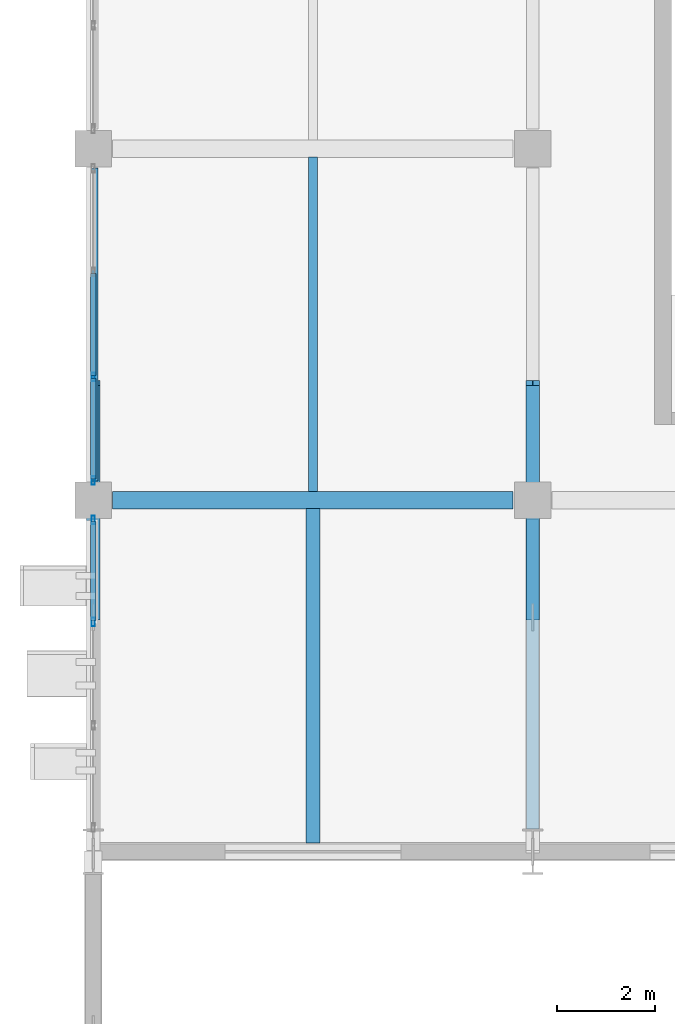
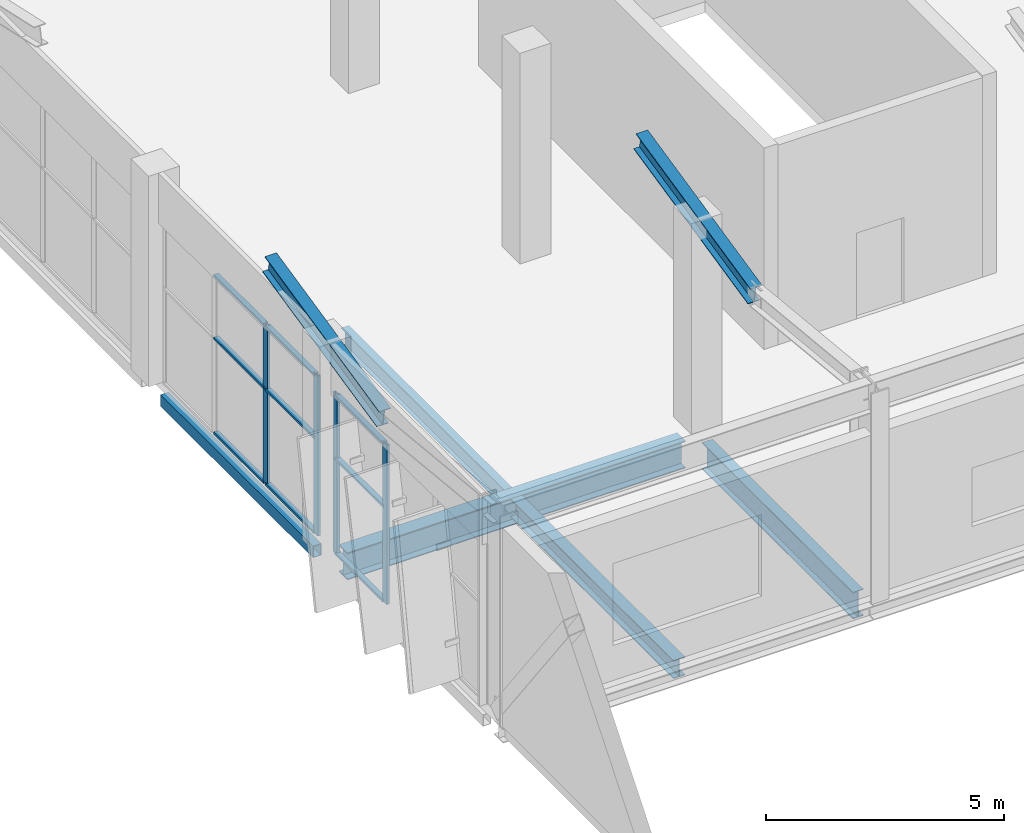
# One storey, part 37 of 189: 15 members, 5 beams, 2 elements without a shape of their own.
"""IFC4 building model written with IfcOpenShell, lengths in metres."""

from ifc_helpers import new_model, si_unit, direction, frame, origin, origin_2d, place, context, subcontext, project, spatial, hollow_rectangle, i_section, extrude, material, layer, layer_set, material_profile, profile_set, type_object, element, aggregate, save


model = new_model("IFC4")

# Units and contexts
model_context = context("Model", 3, precision=1e-05, world=origin(), true_north=direction((0.0, 1.0)))
body_context = subcontext(model_context, "Body", "Model", "MODEL_VIEW")
ifc_project = project(units=[si_unit("LENGTHUNIT", "METRE"), si_unit("AREAUNIT", "SQUARE_METRE"), si_unit("VOLUMEUNIT", "CUBIC_METRE"), si_unit("PLANEANGLEUNIT", "RADIAN"), si_unit("MASSUNIT", "GRAM", prefix="KILO")], contexts=[model_context])

# Site, building, storey
site_placement = place(None, origin())
site = spatial("IfcSite", under=ifc_project, at=site_placement, CompositionType="ELEMENT")
building_placement = place(site_placement, origin())
building = spatial("IfcBuilding", under=site, at=building_placement, Name="Celestram Park Convention Centre", CompositionType="ELEMENT")
storey_placement = place(building_placement, frame((0.0, 0.0, 5.39990234375)))
storey = spatial("IfcBuildingStorey", under=building, at=storey_placement, Name="L01", CompositionType="ELEMENT", Elevation=5.39990234375)

# Curtain wall, members
ifc_material_1 = material(Name="Anodised Aluminium Alloy 6063-T6", Category="aluminium")
ifc_layer_1 = layer(ifc_material_1, 0.179931640625)
ifc_layer_set_1 = layer_set([ifc_layer_1], Name="Anodised Aluminium Alloy 6063-T6")
curtain_wall_type_1 = type_object("IfcCurtainWallType", Name="ARC-CW-636X410", PredefinedType="NOTDEFINED", material=ifc_layer_set_1)
curtain_wall_1_placement = place(storey_placement, origin())
curtain_wall_1 = element("IfcCurtainWall", 1, at=curtain_wall_1_placement, inside=storey, type_object=curtain_wall_type_1, Name="Unitised curtain wall CU-L01-043", PredefinedType="NOTDEFINED")
ifc_material_profile_1 = material_profile(ifc_material_1, hollow_rectangle(XDim=0.06494140625, YDim=0.179931640625, WallThickness=0.00390625, at=origin_2d()), Name="ALU65X180X4")
ifc_profile_set_1 = profile_set([ifc_material_profile_1], Name="Anodised Aluminium Alloy 6063-T6")
member_type_1 = type_object("IfcMemberType", Name="ARC-CWM-150", PredefinedType="MULLION", material=ifc_profile_set_1)
member_1_placement = place(storey_placement, frame((0.0, 112.7060546875, 0.0), z_axis=(0.0, 0.0, 1.0), x_axis=(-1.0, 0.0, 0.0)))
member_1 = element("IfcMember", 2, at=member_1_placement, type_object=member_type_1, Name="CW-63X41 mullion 3", PredefinedType="MULLION", context=body_context, shape_type="SweptSolid", body=[
    extrude(hollow_rectangle(XDim=0.06494140625, YDim=0.179931640625, WallThickness=0.00390625, at=origin_2d()), origin(), (0.0, 0.0, 1.0), 4.10009765625),
])
member_2_placement = place(storey_placement, frame((0.0, 114.79443359375, 0.0), z_axis=(0.0, 0.0, 1.0), x_axis=(-1.0, 0.0, 0.0)))
member_2 = element("IfcMember", 3, at=member_2_placement, type_object=member_type_1, Name="CW-63X41 mullion 4", PredefinedType="MULLION", context=body_context, shape_type="SweptSolid", body=[
    extrude(hollow_rectangle(XDim=0.06494140625, YDim=0.179931640625, WallThickness=0.00390625, at=origin_2d()), origin(), (0.0, 0.0, 1.0), 4.10009765625),
])

ifc_layer_2 = layer(ifc_material_1, 0.179931640625)
ifc_layer_set_2 = layer_set([ifc_layer_2], Name="Anodised Aluminium Alloy 6063-T6")
curtain_wall_type_2 = type_object("IfcCurtainWallType", Name="ARC-CW-645X410", PredefinedType="NOTDEFINED", material=ifc_layer_set_2)
curtain_wall_2_placement = place(storey_placement, origin())
curtain_wall_2 = element("IfcCurtainWall", 4, at=curtain_wall_2_placement, inside=storey, type_object=curtain_wall_type_2, Name="Unitised curtain wall CU-L01-044", PredefinedType="NOTDEFINED")
member_3_placement = place(storey_placement, frame((0.0, 115.60546875, 0.0), z_axis=(0.0, 0.0, 1.0), x_axis=(-1.0, 0.0, 0.0)))
member_3 = element("IfcMember", 5, at=member_3_placement, type_object=member_type_1, Name="CW-64X41 mullion 1", PredefinedType="MULLION", context=body_context, shape_type="SweptSolid", body=[
    extrude(hollow_rectangle(XDim=0.06494140625, YDim=0.179931640625, WallThickness=0.00390625, at=origin_2d()), origin(), (0.0, 0.0, 1.0), 4.10009765625),
])
member_4_placement = place(storey_placement, frame((0.0, 117.724365234375, 0.0), z_axis=(0.0, 0.0, 1.0), x_axis=(-1.0, 0.0, 0.0)))
member_4 = element("IfcMember", 6, at=member_4_placement, type_object=member_type_1, Name="CW-64X41 mullion 2", PredefinedType="MULLION", context=body_context, shape_type="SweptSolid", body=[
    extrude(hollow_rectangle(XDim=0.06494140625, YDim=0.179931640625, WallThickness=0.00390625, at=origin_2d()), origin(), (0.0, 0.0, 1.0), 4.10009765625),
])

# Member
ifc_material_profile_2 = material_profile(ifc_material_1, hollow_rectangle(XDim=0.1201171875, YDim=0.06005859375, WallThickness=0.0029296875, at=origin_2d()), Name="ALU120X60X3")
ifc_profile_set_2 = profile_set([ifc_material_profile_2], Name="Anodised Aluminium Alloy 6063-T6")
member_type_2 = type_object("IfcMemberType", Name="ARC-CWT-120", PredefinedType="USERDEFINED", material=ifc_profile_set_2)
member_5_placement = place(storey_placement, frame((0.0, 112.738525390625, 0.030029296875), z_axis=(0.0, 1.0, 0.0), x_axis=(-1.0, 0.0, 0.0)))
member_5 = element("IfcMember", 7, at=member_5_placement, type_object=member_type_2, Name="CW-63X41 transom 3.1", ObjectType="TRANSOM", PredefinedType="USERDEFINED", context=body_context, shape_type="SweptSolid", body=[
    extrude(hollow_rectangle(XDim=0.1201171875, YDim=0.06005859375, WallThickness=0.0029296875, at=origin_2d()), origin(), (0.0, 0.0, 1.0), 2.0234375),
])

member_6_placement = place(storey_placement, frame((0.0, 112.738525390625, 2.460205078125), z_axis=(0.0, 1.0, 0.0), x_axis=(-1.0, 0.0, 0.0)))
member_6 = element("IfcMember", 8, at=member_6_placement, type_object=member_type_2, Name="CW-63X41 transom 3.2", ObjectType="TRANSOM", PredefinedType="USERDEFINED", context=body_context, shape_type="SweptSolid", body=[
    extrude(hollow_rectangle(XDim=0.1201171875, YDim=0.06005859375, WallThickness=0.0029296875, at=origin_2d()), origin(), (0.0, 0.0, 1.0), 2.0234375),
])

member_7_placement = place(storey_placement, frame((0.0, 112.738525390625, 4.070068359375), z_axis=(0.0, 1.0, 0.0), x_axis=(-1.0, 0.0, 0.0)))
member_7 = element("IfcMember", 9, at=member_7_placement, type_object=member_type_2, Name="CW-63X41 transom 3.3", ObjectType="TRANSOM", PredefinedType="USERDEFINED", context=body_context, shape_type="SweptSolid", body=[
    extrude(hollow_rectangle(XDim=0.1201171875, YDim=0.06005859375, WallThickness=0.0029296875, at=origin_2d()), origin(), (0.0, 0.0, 1.0), 2.0234375),
])

aggregate(curtain_wall_1, [member_1, member_2, member_5, member_6, member_7])

member_8_placement = place(storey_placement, frame((0.0, 115.637939453125, 0.030029296875), z_axis=(0.0, 1.0, 0.0), x_axis=(-1.0, 0.0, 0.0)))
member_8 = element("IfcMember", 10, at=member_8_placement, type_object=member_type_2, Name="CW-64X41 transom 1.1", ObjectType="TRANSOM", PredefinedType="USERDEFINED", context=body_context, shape_type="SweptSolid", body=[
    extrude(hollow_rectangle(XDim=0.1201171875, YDim=0.06005859375, WallThickness=0.0029296875, at=origin_2d()), origin(), (0.0, 0.0, 1.0), 2.053955078125),
])

member_9_placement = place(storey_placement, frame((0.0, 115.637939453125, 2.460205078125), z_axis=(0.0, 1.0, 0.0), x_axis=(-1.0, 0.0, 0.0)))
member_9 = element("IfcMember", 11, at=member_9_placement, type_object=member_type_2, Name="CW-64X41 transom 1.2", ObjectType="TRANSOM", PredefinedType="USERDEFINED", context=body_context, shape_type="SweptSolid", body=[
    extrude(hollow_rectangle(XDim=0.1201171875, YDim=0.06005859375, WallThickness=0.0029296875, at=origin_2d()), origin(), (0.0, 0.0, 1.0), 2.053955078125),
])

member_10_placement = place(storey_placement, frame((0.0, 115.637939453125, 4.070068359375), z_axis=(0.0, 1.0, 0.0), x_axis=(-1.0, 0.0, 0.0)))
member_10 = element("IfcMember", 12, at=member_10_placement, type_object=member_type_2, Name="CW-64X41 transom 1.3", ObjectType="TRANSOM", PredefinedType="USERDEFINED", context=body_context, shape_type="SweptSolid", body=[
    extrude(hollow_rectangle(XDim=0.1201171875, YDim=0.06005859375, WallThickness=0.0029296875, at=origin_2d()), origin(), (0.0, 0.0, 1.0), 2.053955078125),
])

member_11_placement = place(storey_placement, frame((0.0, 117.7568359375, 0.030029296875), z_axis=(0.0, 1.0, 0.0), x_axis=(-1.0, 0.0, 0.0)))
member_11 = element("IfcMember", 13, at=member_11_placement, type_object=member_type_2, Name="CW-64X41 transom 2.1", ObjectType="TRANSOM", PredefinedType="USERDEFINED", context=body_context, shape_type="SweptSolid", body=[
    extrude(hollow_rectangle(XDim=0.1201171875, YDim=0.06005859375, WallThickness=0.0029296875, at=origin_2d()), origin(), (0.0, 0.0, 1.0), 2.08642578125),
])

member_12_placement = place(storey_placement, frame((0.0, 117.7568359375, 2.460205078125), z_axis=(0.0, 1.0, 0.0), x_axis=(-1.0, 0.0, 0.0)))
member_12 = element("IfcMember", 14, at=member_12_placement, type_object=member_type_2, Name="CW-64X41 transom 2.2", ObjectType="TRANSOM", PredefinedType="USERDEFINED", context=body_context, shape_type="SweptSolid", body=[
    extrude(hollow_rectangle(XDim=0.1201171875, YDim=0.06005859375, WallThickness=0.0029296875, at=origin_2d()), origin(), (0.0, 0.0, 1.0), 2.08642578125),
])

member_13_placement = place(storey_placement, frame((0.0, 117.7568359375, 4.070068359375), z_axis=(0.0, 1.0, 0.0), x_axis=(-1.0, 0.0, 0.0)))
member_13 = element("IfcMember", 15, at=member_13_placement, type_object=member_type_2, Name="CW-64X41 transom 2.3", ObjectType="TRANSOM", PredefinedType="USERDEFINED", context=body_context, shape_type="SweptSolid", body=[
    extrude(hollow_rectangle(XDim=0.1201171875, YDim=0.06005859375, WallThickness=0.0029296875, at=origin_2d()), origin(), (0.0, 0.0, 1.0), 2.08642578125),
])

aggregate(curtain_wall_2, [member_3, member_4, member_8, member_9, member_10, member_11, member_12, member_13])

# Beams
ifc_material_2 = material(Name="Steel ASTM A992 Grade 50", Category="steel")
ifc_material_profile_3 = material_profile(ifc_material_2, i_section(OverallWidth=0.35595703125, OverallDepth=0.696044921875, WebThickness=0.015380859375, FlangeThickness=0.02490234375, at=origin_2d()), Name="W27X146")
ifc_profile_set_3 = profile_set([ifc_material_profile_3], Name="Steel ASTM A992 Grade 50")
beam_type_1 = type_object("IfcBeamType", Name="STR-BM-W27X146", PredefinedType="BEAM", material=ifc_profile_set_3)
beam_1_placement = place(storey_placement, frame((0.39794921875, 115.199951171875, -0.6279296875), z_axis=(1.0, 0.0, 0.0), x_axis=(0.0, 1.0, 0.0)))
element("IfcBeam", 16, at=beam_1_placement, inside=storey, type_object=beam_type_1, Name="Primary X-girder BG-L01-0003", PredefinedType="BEAM", context=body_context, shape_type="SweptSolid", body=[
    extrude(i_section(OverallWidth=0.35595703125, OverallDepth=0.696044921875, WebThickness=0.015380859375, FlangeThickness=0.02490234375, at=origin_2d()), origin(), (0.0, 0.0, 1.0), 8.2041015625),
])
ifc_material_profile_4 = material_profile(ifc_material_2, i_section(OverallWidth=0.25390625, OverallDepth=0.68310546875, WebThickness=0.012451171875, FlangeThickness=0.01904296875, at=origin_2d()), Name="W27X94")
ifc_profile_set_4 = profile_set([ifc_material_profile_4], Name="Steel ASTM A992 Grade 50")
beam_type_2 = type_object("IfcBeamType", Name="STR-BM-W27X94", PredefinedType="BEAM", material=ifc_profile_set_4)
beam_2_placement = place(storey_placement, frame((9.0, 108.464111328125, -0.621337890625), z_axis=(0.0, 1.0, 0.0), x_axis=(-1.0, 0.0, 0.0)))
element("IfcBeam", 17, at=beam_2_placement, inside=storey, type_object=beam_type_2, Name="Primary Y-girder BG-L01-0011", PredefinedType="BEAM", context=body_context, shape_type="SweptSolid", body=[
    extrude(i_section(OverallWidth=0.25390625, OverallDepth=0.68310546875, WebThickness=0.012451171875, FlangeThickness=0.01904296875, at=origin_2d()), origin(), (0.0, 0.0, 1.0), 6.337890625),
])

# Members
ifc_material_profile_5 = material_profile(ifc_material_2, i_section(OverallWidth=0.281982421875, OverallDepth=0.467041015625, WebThickness=0.01220703125, FlangeThickness=0.01953125, at=origin_2d()), Name="W18X86")
ifc_profile_set_5 = profile_set([ifc_material_profile_5], Name="Steel ASTM A992 Grade 50")
member_type_3 = type_object("IfcMemberType", Name="STR-CHD-W18X86", PredefinedType="CHORD", material=ifc_profile_set_5)
for number, where, z_axis, x_axis, name in (
    (18, (0.0, 112.800048828125, 4.680908203125), (0.0, 0.976198741481, 0.216877885295), (-1.0, 0.0, 0.0), "WPV arch bottom chord"),
    (19, (9.0, 112.800048828125, 4.680908203125), (0.0, 0.976198741481, 0.216877885295), (-1.0, 0.0, 0.0), "WPV arch bottom chord"),
):
    element("IfcMember", number, at=place(storey_placement, frame(where, z_axis=z_axis, x_axis=x_axis)), inside=storey, type_object=member_type_3, Name=name, PredefinedType="CHORD", context=body_context, shape_type="SweptSolid", body=[
        extrude(i_section(OverallWidth=0.281982421875, OverallDepth=0.467041015625, WebThickness=0.01220703125, FlangeThickness=0.01953125, at=origin_2d()), origin(), (0.0, 0.0, 1.0), 4.9169921875),
    ])

# Beams
ifc_material_profile_6 = material_profile(ifc_material_2, i_section(OverallWidth=0.19091796875, OverallDepth=0.45703125, WebThickness=0.009033203125, FlangeThickness=0.014404296875, at=origin_2d()), Name="W18X50")
ifc_profile_set_6 = profile_set([ifc_material_profile_6], Name="Steel ASTM A992 Grade 50")
beam_type_3 = type_object("IfcBeamType", Name="STR-JST-W18X50", PredefinedType="JOIST", material=ifc_profile_set_6)
beam_3_placement = place(storey_placement, frame((4.5, 115.3740234375, -0.50830078125), z_axis=(0.0, 1.0, 0.0), x_axis=(-1.0, 0.0, 0.0)))
element("IfcBeam", 20, at=beam_3_placement, inside=storey, type_object=beam_type_3, Name="Secondary composite joist BG-L01-0546", PredefinedType="JOIST", context=body_context, shape_type="SweptSolid", body=[
    extrude(i_section(OverallWidth=0.19091796875, OverallDepth=0.45703125, WebThickness=0.009033203125, FlangeThickness=0.014404296875, at=origin_2d()), origin(), (0.0, 0.0, 1.0), 6.85205078125),
])
ifc_material_profile_7 = material_profile(ifc_material_2, i_section(OverallWidth=0.281982421875, OverallDepth=0.467041015625, WebThickness=0.01220703125, FlangeThickness=0.01953125, at=origin_2d()), Name="W18X86")
ifc_profile_set_7 = profile_set([ifc_material_profile_7], Name="Steel ASTM A992 Grade 50")
beam_type_4 = type_object("IfcBeamType", Name="STR-JST-W18X86", PredefinedType="JOIST", material=ifc_profile_set_7)
beam_4_placement = place(storey_placement, frame((4.5, 108.181884765625, -0.513427734375), z_axis=(0.0, 1.0, 0.0), x_axis=(-1.0, 0.0, 0.0)))
element("IfcBeam", 21, at=beam_4_placement, inside=storey, type_object=beam_type_4, Name="Secondary composite joist BG-L01-0545", PredefinedType="JOIST", context=body_context, shape_type="SweptSolid", body=[
    extrude(i_section(OverallWidth=0.281982421875, OverallDepth=0.467041015625, WebThickness=0.01220703125, FlangeThickness=0.01953125, at=origin_2d()), origin(), (0.0, 0.0, 1.0), 6.843994140625),
])
ifc_material_3 = material(Name="Steel ASTM A500 Grade C", Category="steel")
ifc_material_profile_8 = material_profile(ifc_material_3, hollow_rectangle(XDim=0.199951171875, YDim=0.300048828125, WallThickness=0.011962890625, at=origin_2d()), Name="HSS300X200X12")
ifc_profile_set_8 = profile_set([ifc_material_profile_8], Name="Steel ASTM A500 Grade C")
beam_type_5 = type_object("IfcBeamType", Name="STR-SPN-HSS300X200", PredefinedType="SPANDREL", material=ifc_profile_set_8)
beam_5_placement = place(storey_placement, frame((0.0, 115.597900390625, -0.429931640625), z_axis=(0.0, 1.0, 0.0), x_axis=(-1.0, 0.0, 0.0)))
element("IfcBeam", 22, at=beam_5_placement, inside=storey, type_object=beam_type_5, Name="Primary Y-girder BG-L01-0004", PredefinedType="SPANDREL", context=body_context, shape_type="SweptSolid", body=[
    extrude(hollow_rectangle(XDim=0.199951171875, YDim=0.300048828125, WallThickness=0.011962890625, at=origin_2d()), origin(), (0.0, 0.0, 1.0), 6.404052734375),
])

save(model, "model.ifc")
